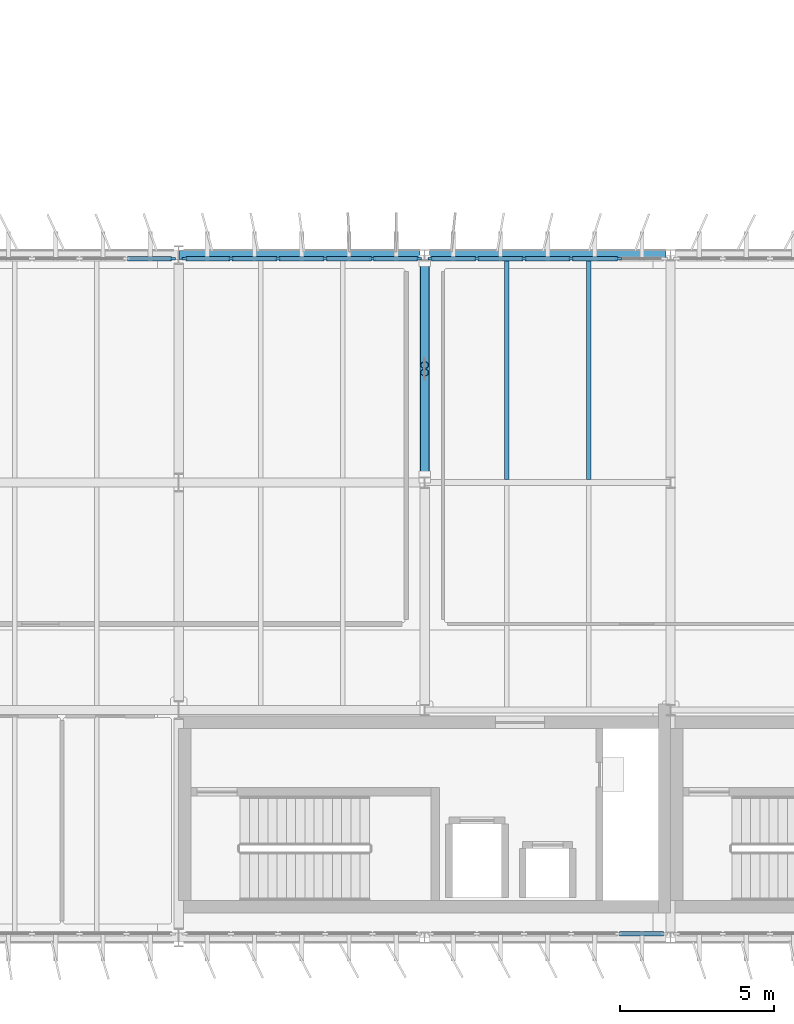
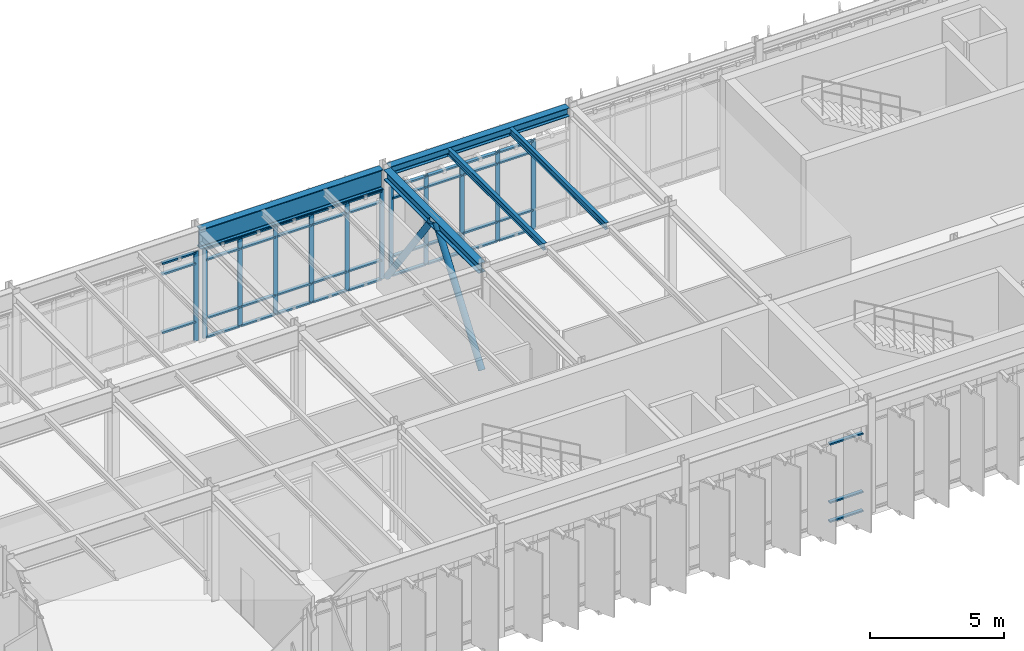
# One storey, part 11 of 48: 56 members, 5 beams, 4 elements without a shape of their own.
"""IFC4 building model written with IfcOpenShell, lengths in metres."""

from ifc_helpers import new_model, si_unit, direction, frame, origin, origin_2d, place, context, subcontext, project, spatial, rectangle, hollow_circle, i_section, extrude, material, layer, layer_set, material_profile, profile_set, type_object, element, aggregate, save


model = new_model("IFC4")

# Units and contexts
model_context = context("Model", 3, precision=1e-05, world=origin(), true_north=direction((0.0, 1.0)))
body_context = subcontext(model_context, "Body", "Model", "MODEL_VIEW")
ifc_project = project(units=[si_unit("LENGTHUNIT", "METRE"), si_unit("AREAUNIT", "SQUARE_METRE"), si_unit("VOLUMEUNIT", "CUBIC_METRE"), si_unit("PLANEANGLEUNIT", "RADIAN"), si_unit("MASSUNIT", "GRAM", prefix="KILO")], contexts=[model_context])

# Site, building, storey
site_placement = place(None, origin())
site = spatial("IfcSite", under=ifc_project, at=site_placement, CompositionType="ELEMENT")
building_placement = place(site_placement, origin())
building = spatial("IfcBuilding", under=site, at=building_placement, Name="Valkorina Park Police Headquarters", CompositionType="ELEMENT")
storey_placement = place(building_placement, frame((0.0, 0.0, 18.10009765625)))
storey = spatial("IfcBuildingStorey", under=building, at=storey_placement, Name="L05", CompositionType="ELEMENT", Elevation=18.10009765625)

# Beams
ifc_material_1 = material(Name="Steel S355", Category="steel")
ifc_material_profile_1 = material_profile(ifc_material_1, i_section(OverallWidth=0.300048828125, OverallDepth=0.389892578125, WebThickness=0.010986328125, FlangeThickness=0.01904296875, FilletRadius=0.027099609375, at=origin_2d()), Name="HEA 400")
ifc_profile_set_1 = profile_set([ifc_material_profile_1], Name="Steel S355")
beam_type_1 = type_object("IfcBeamType", Name="BM-S355-HEA400-SPN", PredefinedType="SPANDREL", material=ifc_profile_set_1)
beam_1_placement = place(storey_placement, frame((24.949951171875, 59.199951171875, 4.784912109375), z_axis=(1.0, 0.0, 0.0), x_axis=(0.0, 1.0, 0.0)))
element("IfcBeam", 1, at=beam_1_placement, inside=storey, type_object=beam_type_1, Name="L05 Framing Beam 2490", PredefinedType="SPANDREL", context=body_context, shape_type="SweptSolid", body=[
    extrude(i_section(OverallWidth=0.300048828125, OverallDepth=0.389892578125, WebThickness=0.010986328125, FlangeThickness=0.01904296875, FilletRadius=0.027099609375, at=origin_2d()), origin(), (0.0, 0.0, 1.0), 7.699951171875),
])
ifc_material_profile_2 = material_profile(ifc_material_1, i_section(OverallWidth=0.300048828125, OverallDepth=0.449951171875, WebThickness=0.013916015625, FlangeThickness=0.02587890625, FilletRadius=0.027099609375, at=origin_2d()), Name="HEB 450")
ifc_profile_set_2 = profile_set([ifc_material_profile_2], Name="Steel S355")
beam_type_2 = type_object("IfcBeamType", Name="BM-S355-HEB450-BM", PredefinedType="BEAM", material=ifc_profile_set_2)
beam_2_placement = place(storey_placement, frame((24.800048828125, 51.97998046875, 4.7548828125), z_axis=(0.0, 1.0, 0.0), x_axis=(-1.0, 0.0, 0.0)))
element("IfcBeam", 2, at=beam_2_placement, inside=storey, type_object=beam_type_2, Name="L05 Framing Beam 2535", PredefinedType="BEAM", context=body_context, shape_type="SweptSolid", body=[
    extrude(i_section(OverallWidth=0.300048828125, OverallDepth=0.449951171875, WebThickness=0.013916015625, FlangeThickness=0.02587890625, FilletRadius=0.027099609375, at=origin_2d()), origin(), (0.0, 0.0, 1.0), 7.0400390625),
])
ifc_material_profile_3 = material_profile(ifc_material_1, i_section(OverallWidth=0.300048828125, OverallDepth=0.89990234375, WebThickness=0.0185546875, FlangeThickness=0.034912109375, FilletRadius=0.030029296875, at=origin_2d()), Name="HEB 900")
ifc_profile_set_3 = profile_set([ifc_material_profile_3], Name="Steel S355")
beam_type_3 = type_object("IfcBeamType", Name="BM-S355-HEB900-EXT", PredefinedType="SPANDREL", material=ifc_profile_set_3)
beam_3_placement = place(storey_placement, frame((16.8076171875, 59.199951171875, 4.52978515625), z_axis=(1.0, 0.0, 0.0), x_axis=(0.0, 1.0, 0.0)))
element("IfcBeam", 3, at=beam_3_placement, inside=storey, type_object=beam_type_3, Name="L05 Framing Beam 2489", PredefinedType="SPANDREL", context=body_context, shape_type="SweptSolid", body=[
    extrude(i_section(OverallWidth=0.300048828125, OverallDepth=0.89990234375, WebThickness=0.0185546875, FlangeThickness=0.034912109375, FilletRadius=0.030029296875, at=origin_2d()), origin(), (0.0, 0.0, 1.0), 7.84228515625),
])
ifc_material_profile_4 = material_profile(ifc_material_1, i_section(OverallWidth=0.14990234375, OverallDepth=0.300048828125, WebThickness=0.007080078125, FlangeThickness=0.0107421875, FilletRadius=0.014892578125, at=origin_2d()), Name="IPE 300")
ifc_profile_set_4 = profile_set([ifc_material_profile_4], Name="Steel S355")
beam_type_4 = type_object("IfcBeamType", Name="BM-S355-IPE300-JST", PredefinedType="JOIST", material=ifc_profile_set_4)
for number, where, z_axis, x_axis, name in (
    (4, (27.466796875, 51.89501953125, 4.829833984375), (0.0, 1.0, 0.0), (-1.0, 0.0, 0.0), "L05 Framing Beam 2536"),
    (5, (30.13330078125, 51.89501953125, 4.829833984375), (0.0, 1.0, 0.0), (-1.0, 0.0, 0.0), "L05 Framing Beam 2537"),
):
    element("IfcBeam", number, at=place(storey_placement, frame(where, z_axis=z_axis, x_axis=x_axis)), inside=storey, type_object=beam_type_4, Name=name, PredefinedType="JOIST", context=body_context, shape_type="SweptSolid", body=[
        extrude(i_section(OverallWidth=0.14990234375, OverallDepth=0.300048828125, WebThickness=0.007080078125, FlangeThickness=0.0107421875, FilletRadius=0.014892578125, at=origin_2d()), origin(), (0.0, 0.0, 1.0), 7.155029296875),
    ])

# Curtain wall, member
ifc_material_2 = material(Name="Thermally broken aluminium AW-6060", Category="aluminium")
ifc_layer = layer(ifc_material_2, 0.18994140625)
ifc_layer_set = layer_set([ifc_layer], Name="Thermally broken aluminium AW-6060")
curtain_wall_type = type_object("IfcCurtainWallType", Name="CW-V5-7680x4070", PredefinedType="NOTDEFINED", material=ifc_layer_set)
curtain_wall_1_placement = place(storey_placement, origin())
curtain_wall_1 = element("IfcCurtainWall", 6, at=curtain_wall_1_placement, inside=storey, type_object=curtain_wall_type, Name="L05 Unitised Curtain Wall 079", PredefinedType="NOTDEFINED")
ifc_material_profile_5 = material_profile(ifc_material_2, rectangle(XDim=0.070068359375, YDim=0.18994140625, at=origin_2d()), Name="CWM-02 70x190")
ifc_profile_set_5 = profile_set([ifc_material_profile_5], Name="Thermally broken aluminium AW-6060")
member_type_1 = type_object("IfcMemberType", Name="CWM-70x190", PredefinedType="MULLION", material=ifc_profile_set_5)
member_1_placement = place(storey_placement, frame((16.60498046875, 59.080078125, 0.0), z_axis=(0.0, 0.0, 1.0), x_axis=(0.0, 1.0, 0.0)))
member_1 = element("IfcMember", 7, at=member_1_placement, type_object=member_type_1, Name="CW-V5-768-407 mullion 6", PredefinedType="MULLION", context=body_context, shape_type="SweptSolid", body=[
    extrude(rectangle(XDim=0.070068359375, YDim=0.18994140625, at=origin_2d()), origin(), (0.0, 0.0, 1.0), 4.06982421875),
])

# Curtain wall, members
curtain_wall_2_placement = place(storey_placement, origin())
curtain_wall_2 = element("IfcCurtainWall", 8, at=curtain_wall_2_placement, inside=storey, type_object=curtain_wall_type, Name="L05 Unitised Curtain Wall 080", PredefinedType="NOTDEFINED")
member_2_placement = place(storey_placement, frame((16.9951171875, 59.080078125, 0.0), z_axis=(0.0, 0.0, 1.0), x_axis=(0.0, 1.0, 0.0)))
member_2 = element("IfcMember", 9, at=member_2_placement, type_object=member_type_1, Name="CW-V5-768-407 mullion 1", PredefinedType="MULLION", context=body_context, shape_type="SweptSolid", body=[
    extrude(rectangle(XDim=0.070068359375, YDim=0.18994140625, at=origin_2d()), origin(), (0.0, 0.0, 1.0), 4.06982421875),
])
member_3_placement = place(storey_placement, frame((18.49609375, 59.080078125, 0.0), z_axis=(0.0, 0.0, 1.0), x_axis=(0.0, 1.0, 0.0)))
member_3 = element("IfcMember", 10, at=member_3_placement, type_object=member_type_1, Name="CW-V5-768-407 mullion 2", PredefinedType="MULLION", context=body_context, shape_type="SweptSolid", body=[
    extrude(rectangle(XDim=0.070068359375, YDim=0.18994140625, at=origin_2d()), origin(), (0.0, 0.0, 1.0), 4.06982421875),
])
member_4_placement = place(storey_placement, frame((20.031982421875, 59.080078125, 0.0), z_axis=(0.0, 0.0, 1.0), x_axis=(0.0, 1.0, 0.0)))
member_4 = element("IfcMember", 11, at=member_4_placement, type_object=member_type_1, Name="CW-V5-768-407 mullion 3", PredefinedType="MULLION", context=body_context, shape_type="SweptSolid", body=[
    extrude(rectangle(XDim=0.070068359375, YDim=0.18994140625, at=origin_2d()), origin(), (0.0, 0.0, 1.0), 4.06982421875),
])
member_5_placement = place(storey_placement, frame((21.568115234375, 59.080078125, 0.0), z_axis=(0.0, 0.0, 1.0), x_axis=(0.0, 1.0, 0.0)))
member_5 = element("IfcMember", 12, at=member_5_placement, type_object=member_type_1, Name="CW-V5-768-407 mullion 4", PredefinedType="MULLION", context=body_context, shape_type="SweptSolid", body=[
    extrude(rectangle(XDim=0.070068359375, YDim=0.18994140625, at=origin_2d()), origin(), (0.0, 0.0, 1.0), 4.06982421875),
])
member_6_placement = place(storey_placement, frame((23.10400390625, 59.080078125, 0.0), z_axis=(0.0, 0.0, 1.0), x_axis=(0.0, 1.0, 0.0)))
member_6 = element("IfcMember", 13, at=member_6_placement, type_object=member_type_1, Name="CW-V5-768-407 mullion 5", PredefinedType="MULLION", context=body_context, shape_type="SweptSolid", body=[
    extrude(rectangle(XDim=0.070068359375, YDim=0.18994140625, at=origin_2d()), origin(), (0.0, 0.0, 1.0), 4.06982421875),
])
member_7_placement = place(storey_placement, frame((24.60498046875, 59.080078125, 0.0), z_axis=(0.0, 0.0, 1.0), x_axis=(0.0, 1.0, 0.0)))
member_7 = element("IfcMember", 14, at=member_7_placement, type_object=member_type_1, Name="CW-V5-768-407 mullion 6", PredefinedType="MULLION", context=body_context, shape_type="SweptSolid", body=[
    extrude(rectangle(XDim=0.070068359375, YDim=0.18994140625, at=origin_2d()), origin(), (0.0, 0.0, 1.0), 4.06982421875),
])

curtain_wall_3_placement = place(storey_placement, origin())
curtain_wall_3 = element("IfcCurtainWall", 15, at=curtain_wall_3_placement, inside=storey, type_object=curtain_wall_type, Name="L05 Unitised Curtain Wall 081", PredefinedType="NOTDEFINED")
member_8_placement = place(storey_placement, frame((24.9951171875, 59.080078125, 0.0), z_axis=(0.0, 0.0, 1.0), x_axis=(0.0, 1.0, 0.0)))
member_8 = element("IfcMember", 16, at=member_8_placement, type_object=member_type_1, Name="CW-V5-768-407 mullion 1", PredefinedType="MULLION", context=body_context, shape_type="SweptSolid", body=[
    extrude(rectangle(XDim=0.070068359375, YDim=0.18994140625, at=origin_2d()), origin(), (0.0, 0.0, 1.0), 4.06982421875),
])
member_9_placement = place(storey_placement, frame((26.49609375, 59.080078125, 0.0), z_axis=(0.0, 0.0, 1.0), x_axis=(0.0, 1.0, 0.0)))
member_9 = element("IfcMember", 17, at=member_9_placement, type_object=member_type_1, Name="CW-V5-768-407 mullion 2", PredefinedType="MULLION", context=body_context, shape_type="SweptSolid", body=[
    extrude(rectangle(XDim=0.070068359375, YDim=0.18994140625, at=origin_2d()), origin(), (0.0, 0.0, 1.0), 4.06982421875),
])
member_10_placement = place(storey_placement, frame((28.031982421875, 59.080078125, 0.0), z_axis=(0.0, 0.0, 1.0), x_axis=(0.0, 1.0, 0.0)))
member_10 = element("IfcMember", 18, at=member_10_placement, type_object=member_type_1, Name="CW-V5-768-407 mullion 3", PredefinedType="MULLION", context=body_context, shape_type="SweptSolid", body=[
    extrude(rectangle(XDim=0.070068359375, YDim=0.18994140625, at=origin_2d()), origin(), (0.0, 0.0, 1.0), 4.06982421875),
])
member_11_placement = place(storey_placement, frame((29.568115234375, 59.080078125, 0.0), z_axis=(0.0, 0.0, 1.0), x_axis=(0.0, 1.0, 0.0)))
member_11 = element("IfcMember", 19, at=member_11_placement, type_object=member_type_1, Name="CW-V5-768-407 mullion 4", PredefinedType="MULLION", context=body_context, shape_type="SweptSolid", body=[
    extrude(rectangle(XDim=0.070068359375, YDim=0.18994140625, at=origin_2d()), origin(), (0.0, 0.0, 1.0), 4.06982421875),
])
member_12_placement = place(storey_placement, frame((31.10400390625, 59.080078125, 0.0), z_axis=(0.0, 0.0, 1.0), x_axis=(0.0, 1.0, 0.0)))
member_12 = element("IfcMember", 20, at=member_12_placement, type_object=member_type_1, Name="CW-V5-768-407 mullion 5", PredefinedType="MULLION", context=body_context, shape_type="SweptSolid", body=[
    extrude(rectangle(XDim=0.070068359375, YDim=0.18994140625, at=origin_2d()), origin(), (0.0, 0.0, 1.0), 4.06982421875),
])

curtain_wall_4_placement = place(storey_placement, origin())
curtain_wall_4 = element("IfcCurtainWall", 21, at=curtain_wall_4_placement, inside=storey, type_object=curtain_wall_type, Name="L05 Unitised Curtain Wall 071", PredefinedType="NOTDEFINED")
ifc_material_profile_6 = material_profile(ifc_material_2, rectangle(XDim=0.14990234375, YDim=0.070068359375, at=origin_2d()), Name="CWT-02 150x70")
ifc_profile_set_6 = profile_set([ifc_material_profile_6], Name="Thermally broken aluminium AW-6060")
member_type_2 = type_object("IfcMemberType", Name="CWT-150x70", PredefinedType="USERDEFINED", material=ifc_profile_set_6)
member_13_placement = place(storey_placement, frame((32.570068359375, 37.1201171875, 0.034912109375), z_axis=(-1.0, 0.0, 0.0), x_axis=(0.0, -1.0, 0.0)))
member_13 = element("IfcMember", 22, at=member_13_placement, type_object=member_type_2, Name="CW-V5-768-407 transom 1.1", ObjectType="TRANSOM", PredefinedType="USERDEFINED", context=body_context, shape_type="SweptSolid", body=[
    extrude(rectangle(XDim=0.14990234375, YDim=0.070068359375, at=origin_2d()), origin(), (0.0, 0.0, 1.0), 1.43115234375),
])
member_14_placement = place(storey_placement, frame((32.570068359375, 37.1201171875, 0.89990234375), z_axis=(-1.0, 0.0, 0.0), x_axis=(0.0, -1.0, 0.0)))
member_14 = element("IfcMember", 23, at=member_14_placement, type_object=member_type_2, Name="CW-V5-768-407 transom 1.2", ObjectType="TRANSOM", PredefinedType="USERDEFINED", context=body_context, shape_type="SweptSolid", body=[
    extrude(rectangle(XDim=0.14990234375, YDim=0.070068359375, at=origin_2d()), origin(), (0.0, 0.0, 1.0), 1.43115234375),
])
member_15_placement = place(storey_placement, frame((32.570068359375, 37.1201171875, 3.5498046875), z_axis=(-1.0, 0.0, 0.0), x_axis=(0.0, -1.0, 0.0)))
member_15 = element("IfcMember", 24, at=member_15_placement, type_object=member_type_2, Name="CW-V5-768-407 transom 1.3", ObjectType="TRANSOM", PredefinedType="USERDEFINED", context=body_context, shape_type="SweptSolid", body=[
    extrude(rectangle(XDim=0.14990234375, YDim=0.070068359375, at=origin_2d()), origin(), (0.0, 0.0, 1.0), 1.43115234375),
])
aggregate(curtain_wall_4, [member_13, member_14, member_15])

# Member
member_16_placement = place(storey_placement, frame((15.138916015625, 59.080078125, 0.89990234375), z_axis=(1.0, 0.0, 0.0), x_axis=(0.0, 1.0, 0.0)))
member_16 = element("IfcMember", 25, at=member_16_placement, type_object=member_type_2, Name="CW-V5-768-407 transom 5.2", ObjectType="TRANSOM", PredefinedType="USERDEFINED", context=body_context, shape_type="SweptSolid", body=[
    extrude(rectangle(XDim=0.14990234375, YDim=0.070068359375, at=origin_2d()), origin(), (0.0, 0.0, 1.0), 1.43115234375),
])

member_17_placement = place(storey_placement, frame((15.138916015625, 59.080078125, 3.5498046875), z_axis=(1.0, 0.0, 0.0), x_axis=(0.0, 1.0, 0.0)))
member_17 = element("IfcMember", 26, at=member_17_placement, type_object=member_type_2, Name="CW-V5-768-407 transom 5.3", ObjectType="TRANSOM", PredefinedType="USERDEFINED", context=body_context, shape_type="SweptSolid", body=[
    extrude(rectangle(XDim=0.14990234375, YDim=0.070068359375, at=origin_2d()), origin(), (0.0, 0.0, 1.0), 1.43115234375),
])

member_18_placement = place(storey_placement, frame((15.138916015625, 59.080078125, 4.034912109375), z_axis=(1.0, 0.0, 0.0), x_axis=(0.0, 1.0, 0.0)))
member_18 = element("IfcMember", 27, at=member_18_placement, type_object=member_type_2, Name="CW-V5-768-407 transom 5.4", ObjectType="TRANSOM", PredefinedType="USERDEFINED", context=body_context, shape_type="SweptSolid", body=[
    extrude(rectangle(XDim=0.14990234375, YDim=0.070068359375, at=origin_2d()), origin(), (0.0, 0.0, 1.0), 1.43115234375),
])

aggregate(curtain_wall_1, [member_1, member_16, member_17, member_18])

member_19_placement = place(storey_placement, frame((17.030029296875, 59.080078125, 0.034912109375), z_axis=(1.0, 0.0, 0.0), x_axis=(0.0, 1.0, 0.0)))
member_19 = element("IfcMember", 28, at=member_19_placement, type_object=member_type_2, Name="CW-V5-768-407 transom 1.1", ObjectType="TRANSOM", PredefinedType="USERDEFINED", context=body_context, shape_type="SweptSolid", body=[
    extrude(rectangle(XDim=0.14990234375, YDim=0.070068359375, at=origin_2d()), origin(), (0.0, 0.0, 1.0), 1.430908203125),
])

member_20_placement = place(storey_placement, frame((17.030029296875, 59.080078125, 0.89990234375), z_axis=(1.0, 0.0, 0.0), x_axis=(0.0, 1.0, 0.0)))
member_20 = element("IfcMember", 29, at=member_20_placement, type_object=member_type_2, Name="CW-V5-768-407 transom 1.2", ObjectType="TRANSOM", PredefinedType="USERDEFINED", context=body_context, shape_type="SweptSolid", body=[
    extrude(rectangle(XDim=0.14990234375, YDim=0.070068359375, at=origin_2d()), origin(), (0.0, 0.0, 1.0), 1.430908203125),
])

member_21_placement = place(storey_placement, frame((17.030029296875, 59.080078125, 3.5498046875), z_axis=(1.0, 0.0, 0.0), x_axis=(0.0, 1.0, 0.0)))
member_21 = element("IfcMember", 30, at=member_21_placement, type_object=member_type_2, Name="CW-V5-768-407 transom 1.3", ObjectType="TRANSOM", PredefinedType="USERDEFINED", context=body_context, shape_type="SweptSolid", body=[
    extrude(rectangle(XDim=0.14990234375, YDim=0.070068359375, at=origin_2d()), origin(), (0.0, 0.0, 1.0), 1.430908203125),
])

member_22_placement = place(storey_placement, frame((17.030029296875, 59.080078125, 4.034912109375), z_axis=(1.0, 0.0, 0.0), x_axis=(0.0, 1.0, 0.0)))
member_22 = element("IfcMember", 31, at=member_22_placement, type_object=member_type_2, Name="CW-V5-768-407 transom 1.4", ObjectType="TRANSOM", PredefinedType="USERDEFINED", context=body_context, shape_type="SweptSolid", body=[
    extrude(rectangle(XDim=0.14990234375, YDim=0.070068359375, at=origin_2d()), origin(), (0.0, 0.0, 1.0), 1.430908203125),
])

member_23_placement = place(storey_placement, frame((18.531005859375, 59.080078125, 0.034912109375), z_axis=(1.0, 0.0, 0.0), x_axis=(0.0, 1.0, 0.0)))
member_23 = element("IfcMember", 32, at=member_23_placement, type_object=member_type_2, Name="CW-V5-768-407 transom 2.1", ObjectType="TRANSOM", PredefinedType="USERDEFINED", context=body_context, shape_type="SweptSolid", body=[
    extrude(rectangle(XDim=0.14990234375, YDim=0.070068359375, at=origin_2d()), origin(), (0.0, 0.0, 1.0), 1.466064453125),
])

member_24_placement = place(storey_placement, frame((18.531005859375, 59.080078125, 0.89990234375), z_axis=(1.0, 0.0, 0.0), x_axis=(0.0, 1.0, 0.0)))
member_24 = element("IfcMember", 33, at=member_24_placement, type_object=member_type_2, Name="CW-V5-768-407 transom 2.2", ObjectType="TRANSOM", PredefinedType="USERDEFINED", context=body_context, shape_type="SweptSolid", body=[
    extrude(rectangle(XDim=0.14990234375, YDim=0.070068359375, at=origin_2d()), origin(), (0.0, 0.0, 1.0), 1.466064453125),
])

member_25_placement = place(storey_placement, frame((18.531005859375, 59.080078125, 3.5498046875), z_axis=(1.0, 0.0, 0.0), x_axis=(0.0, 1.0, 0.0)))
member_25 = element("IfcMember", 34, at=member_25_placement, type_object=member_type_2, Name="CW-V5-768-407 transom 2.3", ObjectType="TRANSOM", PredefinedType="USERDEFINED", context=body_context, shape_type="SweptSolid", body=[
    extrude(rectangle(XDim=0.14990234375, YDim=0.070068359375, at=origin_2d()), origin(), (0.0, 0.0, 1.0), 1.466064453125),
])

member_26_placement = place(storey_placement, frame((18.531005859375, 59.080078125, 4.034912109375), z_axis=(1.0, 0.0, 0.0), x_axis=(0.0, 1.0, 0.0)))
member_26 = element("IfcMember", 35, at=member_26_placement, type_object=member_type_2, Name="CW-V5-768-407 transom 2.4", ObjectType="TRANSOM", PredefinedType="USERDEFINED", context=body_context, shape_type="SweptSolid", body=[
    extrude(rectangle(XDim=0.14990234375, YDim=0.070068359375, at=origin_2d()), origin(), (0.0, 0.0, 1.0), 1.466064453125),
])

member_27_placement = place(storey_placement, frame((20.06689453125, 59.080078125, 0.034912109375), z_axis=(1.0, 0.0, 0.0), x_axis=(0.0, 1.0, 0.0)))
member_27 = element("IfcMember", 36, at=member_27_placement, type_object=member_type_2, Name="CW-V5-768-407 transom 3.1", ObjectType="TRANSOM", PredefinedType="USERDEFINED", context=body_context, shape_type="SweptSolid", body=[
    extrude(rectangle(XDim=0.14990234375, YDim=0.070068359375, at=origin_2d()), origin(), (0.0, 0.0, 1.0), 1.466064453125),
])

member_28_placement = place(storey_placement, frame((20.06689453125, 59.080078125, 0.89990234375), z_axis=(1.0, 0.0, 0.0), x_axis=(0.0, 1.0, 0.0)))
member_28 = element("IfcMember", 37, at=member_28_placement, type_object=member_type_2, Name="CW-V5-768-407 transom 3.2", ObjectType="TRANSOM", PredefinedType="USERDEFINED", context=body_context, shape_type="SweptSolid", body=[
    extrude(rectangle(XDim=0.14990234375, YDim=0.070068359375, at=origin_2d()), origin(), (0.0, 0.0, 1.0), 1.466064453125),
])

member_29_placement = place(storey_placement, frame((20.06689453125, 59.080078125, 3.5498046875), z_axis=(1.0, 0.0, 0.0), x_axis=(0.0, 1.0, 0.0)))
member_29 = element("IfcMember", 38, at=member_29_placement, type_object=member_type_2, Name="CW-V5-768-407 transom 3.3", ObjectType="TRANSOM", PredefinedType="USERDEFINED", context=body_context, shape_type="SweptSolid", body=[
    extrude(rectangle(XDim=0.14990234375, YDim=0.070068359375, at=origin_2d()), origin(), (0.0, 0.0, 1.0), 1.466064453125),
])

member_30_placement = place(storey_placement, frame((20.06689453125, 59.080078125, 4.034912109375), z_axis=(1.0, 0.0, 0.0), x_axis=(0.0, 1.0, 0.0)))
member_30 = element("IfcMember", 39, at=member_30_placement, type_object=member_type_2, Name="CW-V5-768-407 transom 3.4", ObjectType="TRANSOM", PredefinedType="USERDEFINED", context=body_context, shape_type="SweptSolid", body=[
    extrude(rectangle(XDim=0.14990234375, YDim=0.070068359375, at=origin_2d()), origin(), (0.0, 0.0, 1.0), 1.466064453125),
])

member_31_placement = place(storey_placement, frame((21.60302734375, 59.080078125, 0.034912109375), z_axis=(1.0, 0.0, 0.0), x_axis=(0.0, 1.0, 0.0)))
member_31 = element("IfcMember", 40, at=member_31_placement, type_object=member_type_2, Name="CW-V5-768-407 transom 4.1", ObjectType="TRANSOM", PredefinedType="USERDEFINED", context=body_context, shape_type="SweptSolid", body=[
    extrude(rectangle(XDim=0.14990234375, YDim=0.070068359375, at=origin_2d()), origin(), (0.0, 0.0, 1.0), 1.466064453125),
])

member_32_placement = place(storey_placement, frame((21.60302734375, 59.080078125, 0.89990234375), z_axis=(1.0, 0.0, 0.0), x_axis=(0.0, 1.0, 0.0)))
member_32 = element("IfcMember", 41, at=member_32_placement, type_object=member_type_2, Name="CW-V5-768-407 transom 4.2", ObjectType="TRANSOM", PredefinedType="USERDEFINED", context=body_context, shape_type="SweptSolid", body=[
    extrude(rectangle(XDim=0.14990234375, YDim=0.070068359375, at=origin_2d()), origin(), (0.0, 0.0, 1.0), 1.466064453125),
])

member_33_placement = place(storey_placement, frame((21.60302734375, 59.080078125, 3.5498046875), z_axis=(1.0, 0.0, 0.0), x_axis=(0.0, 1.0, 0.0)))
member_33 = element("IfcMember", 42, at=member_33_placement, type_object=member_type_2, Name="CW-V5-768-407 transom 4.3", ObjectType="TRANSOM", PredefinedType="USERDEFINED", context=body_context, shape_type="SweptSolid", body=[
    extrude(rectangle(XDim=0.14990234375, YDim=0.070068359375, at=origin_2d()), origin(), (0.0, 0.0, 1.0), 1.466064453125),
])

member_34_placement = place(storey_placement, frame((21.60302734375, 59.080078125, 4.034912109375), z_axis=(1.0, 0.0, 0.0), x_axis=(0.0, 1.0, 0.0)))
member_34 = element("IfcMember", 43, at=member_34_placement, type_object=member_type_2, Name="CW-V5-768-407 transom 4.4", ObjectType="TRANSOM", PredefinedType="USERDEFINED", context=body_context, shape_type="SweptSolid", body=[
    extrude(rectangle(XDim=0.14990234375, YDim=0.070068359375, at=origin_2d()), origin(), (0.0, 0.0, 1.0), 1.466064453125),
])

member_35_placement = place(storey_placement, frame((23.138916015625, 59.080078125, 0.034912109375), z_axis=(1.0, 0.0, 0.0), x_axis=(0.0, 1.0, 0.0)))
member_35 = element("IfcMember", 44, at=member_35_placement, type_object=member_type_2, Name="CW-V5-768-407 transom 5.1", ObjectType="TRANSOM", PredefinedType="USERDEFINED", context=body_context, shape_type="SweptSolid", body=[
    extrude(rectangle(XDim=0.14990234375, YDim=0.070068359375, at=origin_2d()), origin(), (0.0, 0.0, 1.0), 1.43115234375),
])

member_36_placement = place(storey_placement, frame((23.138916015625, 59.080078125, 0.89990234375), z_axis=(1.0, 0.0, 0.0), x_axis=(0.0, 1.0, 0.0)))
member_36 = element("IfcMember", 45, at=member_36_placement, type_object=member_type_2, Name="CW-V5-768-407 transom 5.2", ObjectType="TRANSOM", PredefinedType="USERDEFINED", context=body_context, shape_type="SweptSolid", body=[
    extrude(rectangle(XDim=0.14990234375, YDim=0.070068359375, at=origin_2d()), origin(), (0.0, 0.0, 1.0), 1.43115234375),
])

member_37_placement = place(storey_placement, frame((23.138916015625, 59.080078125, 3.5498046875), z_axis=(1.0, 0.0, 0.0), x_axis=(0.0, 1.0, 0.0)))
member_37 = element("IfcMember", 46, at=member_37_placement, type_object=member_type_2, Name="CW-V5-768-407 transom 5.3", ObjectType="TRANSOM", PredefinedType="USERDEFINED", context=body_context, shape_type="SweptSolid", body=[
    extrude(rectangle(XDim=0.14990234375, YDim=0.070068359375, at=origin_2d()), origin(), (0.0, 0.0, 1.0), 1.43115234375),
])

member_38_placement = place(storey_placement, frame((23.138916015625, 59.080078125, 4.034912109375), z_axis=(1.0, 0.0, 0.0), x_axis=(0.0, 1.0, 0.0)))
member_38 = element("IfcMember", 47, at=member_38_placement, type_object=member_type_2, Name="CW-V5-768-407 transom 5.4", ObjectType="TRANSOM", PredefinedType="USERDEFINED", context=body_context, shape_type="SweptSolid", body=[
    extrude(rectangle(XDim=0.14990234375, YDim=0.070068359375, at=origin_2d()), origin(), (0.0, 0.0, 1.0), 1.43115234375),
])

aggregate(curtain_wall_2, [member_2, member_3, member_4, member_5, member_6, member_7, member_19, member_20, member_21, member_22, member_23, member_24, member_25, member_26, member_27, member_28, member_29, member_30, member_31, member_32, member_33, member_34, member_35, member_36, member_37, member_38])

member_39_placement = place(storey_placement, frame((25.030029296875, 59.080078125, 0.034912109375), z_axis=(1.0, 0.0, 0.0), x_axis=(0.0, 1.0, 0.0)))
member_39 = element("IfcMember", 48, at=member_39_placement, type_object=member_type_2, Name="CW-V5-768-407 transom 1.1", ObjectType="TRANSOM", PredefinedType="USERDEFINED", context=body_context, shape_type="SweptSolid", body=[
    extrude(rectangle(XDim=0.14990234375, YDim=0.070068359375, at=origin_2d()), origin(), (0.0, 0.0, 1.0), 1.430908203125),
])

member_40_placement = place(storey_placement, frame((25.030029296875, 59.080078125, 0.89990234375), z_axis=(1.0, 0.0, 0.0), x_axis=(0.0, 1.0, 0.0)))
member_40 = element("IfcMember", 49, at=member_40_placement, type_object=member_type_2, Name="CW-V5-768-407 transom 1.2", ObjectType="TRANSOM", PredefinedType="USERDEFINED", context=body_context, shape_type="SweptSolid", body=[
    extrude(rectangle(XDim=0.14990234375, YDim=0.070068359375, at=origin_2d()), origin(), (0.0, 0.0, 1.0), 1.430908203125),
])

member_41_placement = place(storey_placement, frame((25.030029296875, 59.080078125, 3.5498046875), z_axis=(1.0, 0.0, 0.0), x_axis=(0.0, 1.0, 0.0)))
member_41 = element("IfcMember", 50, at=member_41_placement, type_object=member_type_2, Name="CW-V5-768-407 transom 1.3", ObjectType="TRANSOM", PredefinedType="USERDEFINED", context=body_context, shape_type="SweptSolid", body=[
    extrude(rectangle(XDim=0.14990234375, YDim=0.070068359375, at=origin_2d()), origin(), (0.0, 0.0, 1.0), 1.430908203125),
])

member_42_placement = place(storey_placement, frame((25.030029296875, 59.080078125, 4.034912109375), z_axis=(1.0, 0.0, 0.0), x_axis=(0.0, 1.0, 0.0)))
member_42 = element("IfcMember", 51, at=member_42_placement, type_object=member_type_2, Name="CW-V5-768-407 transom 1.4", ObjectType="TRANSOM", PredefinedType="USERDEFINED", context=body_context, shape_type="SweptSolid", body=[
    extrude(rectangle(XDim=0.14990234375, YDim=0.070068359375, at=origin_2d()), origin(), (0.0, 0.0, 1.0), 1.430908203125),
])

member_43_placement = place(storey_placement, frame((26.531005859375, 59.080078125, 0.034912109375), z_axis=(1.0, 0.0, 0.0), x_axis=(0.0, 1.0, 0.0)))
member_43 = element("IfcMember", 52, at=member_43_placement, type_object=member_type_2, Name="CW-V5-768-407 transom 2.1", ObjectType="TRANSOM", PredefinedType="USERDEFINED", context=body_context, shape_type="SweptSolid", body=[
    extrude(rectangle(XDim=0.14990234375, YDim=0.070068359375, at=origin_2d()), origin(), (0.0, 0.0, 1.0), 1.466064453125),
])

member_44_placement = place(storey_placement, frame((26.531005859375, 59.080078125, 0.89990234375), z_axis=(1.0, 0.0, 0.0), x_axis=(0.0, 1.0, 0.0)))
member_44 = element("IfcMember", 53, at=member_44_placement, type_object=member_type_2, Name="CW-V5-768-407 transom 2.2", ObjectType="TRANSOM", PredefinedType="USERDEFINED", context=body_context, shape_type="SweptSolid", body=[
    extrude(rectangle(XDim=0.14990234375, YDim=0.070068359375, at=origin_2d()), origin(), (0.0, 0.0, 1.0), 1.466064453125),
])

member_45_placement = place(storey_placement, frame((26.531005859375, 59.080078125, 3.5498046875), z_axis=(1.0, 0.0, 0.0), x_axis=(0.0, 1.0, 0.0)))
member_45 = element("IfcMember", 54, at=member_45_placement, type_object=member_type_2, Name="CW-V5-768-407 transom 2.3", ObjectType="TRANSOM", PredefinedType="USERDEFINED", context=body_context, shape_type="SweptSolid", body=[
    extrude(rectangle(XDim=0.14990234375, YDim=0.070068359375, at=origin_2d()), origin(), (0.0, 0.0, 1.0), 1.466064453125),
])

member_46_placement = place(storey_placement, frame((26.531005859375, 59.080078125, 4.034912109375), z_axis=(1.0, 0.0, 0.0), x_axis=(0.0, 1.0, 0.0)))
member_46 = element("IfcMember", 55, at=member_46_placement, type_object=member_type_2, Name="CW-V5-768-407 transom 2.4", ObjectType="TRANSOM", PredefinedType="USERDEFINED", context=body_context, shape_type="SweptSolid", body=[
    extrude(rectangle(XDim=0.14990234375, YDim=0.070068359375, at=origin_2d()), origin(), (0.0, 0.0, 1.0), 1.466064453125),
])

member_47_placement = place(storey_placement, frame((28.06689453125, 59.080078125, 0.034912109375), z_axis=(1.0, 0.0, 0.0), x_axis=(0.0, 1.0, 0.0)))
member_47 = element("IfcMember", 56, at=member_47_placement, type_object=member_type_2, Name="CW-V5-768-407 transom 3.1", ObjectType="TRANSOM", PredefinedType="USERDEFINED", context=body_context, shape_type="SweptSolid", body=[
    extrude(rectangle(XDim=0.14990234375, YDim=0.070068359375, at=origin_2d()), origin(), (0.0, 0.0, 1.0), 1.466064453125),
])

member_48_placement = place(storey_placement, frame((28.06689453125, 59.080078125, 0.89990234375), z_axis=(1.0, 0.0, 0.0), x_axis=(0.0, 1.0, 0.0)))
member_48 = element("IfcMember", 57, at=member_48_placement, type_object=member_type_2, Name="CW-V5-768-407 transom 3.2", ObjectType="TRANSOM", PredefinedType="USERDEFINED", context=body_context, shape_type="SweptSolid", body=[
    extrude(rectangle(XDim=0.14990234375, YDim=0.070068359375, at=origin_2d()), origin(), (0.0, 0.0, 1.0), 1.466064453125),
])

member_49_placement = place(storey_placement, frame((28.06689453125, 59.080078125, 3.5498046875), z_axis=(1.0, 0.0, 0.0), x_axis=(0.0, 1.0, 0.0)))
member_49 = element("IfcMember", 58, at=member_49_placement, type_object=member_type_2, Name="CW-V5-768-407 transom 3.3", ObjectType="TRANSOM", PredefinedType="USERDEFINED", context=body_context, shape_type="SweptSolid", body=[
    extrude(rectangle(XDim=0.14990234375, YDim=0.070068359375, at=origin_2d()), origin(), (0.0, 0.0, 1.0), 1.466064453125),
])

member_50_placement = place(storey_placement, frame((28.06689453125, 59.080078125, 4.034912109375), z_axis=(1.0, 0.0, 0.0), x_axis=(0.0, 1.0, 0.0)))
member_50 = element("IfcMember", 59, at=member_50_placement, type_object=member_type_2, Name="CW-V5-768-407 transom 3.4", ObjectType="TRANSOM", PredefinedType="USERDEFINED", context=body_context, shape_type="SweptSolid", body=[
    extrude(rectangle(XDim=0.14990234375, YDim=0.070068359375, at=origin_2d()), origin(), (0.0, 0.0, 1.0), 1.466064453125),
])

member_51_placement = place(storey_placement, frame((29.60302734375, 59.080078125, 0.034912109375), z_axis=(1.0, 0.0, 0.0), x_axis=(0.0, 1.0, 0.0)))
member_51 = element("IfcMember", 60, at=member_51_placement, type_object=member_type_2, Name="CW-V5-768-407 transom 4.1", ObjectType="TRANSOM", PredefinedType="USERDEFINED", context=body_context, shape_type="SweptSolid", body=[
    extrude(rectangle(XDim=0.14990234375, YDim=0.070068359375, at=origin_2d()), origin(), (0.0, 0.0, 1.0), 1.466064453125),
])

member_52_placement = place(storey_placement, frame((29.60302734375, 59.080078125, 0.89990234375), z_axis=(1.0, 0.0, 0.0), x_axis=(0.0, 1.0, 0.0)))
member_52 = element("IfcMember", 61, at=member_52_placement, type_object=member_type_2, Name="CW-V5-768-407 transom 4.2", ObjectType="TRANSOM", PredefinedType="USERDEFINED", context=body_context, shape_type="SweptSolid", body=[
    extrude(rectangle(XDim=0.14990234375, YDim=0.070068359375, at=origin_2d()), origin(), (0.0, 0.0, 1.0), 1.466064453125),
])

member_53_placement = place(storey_placement, frame((29.60302734375, 59.080078125, 3.5498046875), z_axis=(1.0, 0.0, 0.0), x_axis=(0.0, 1.0, 0.0)))
member_53 = element("IfcMember", 62, at=member_53_placement, type_object=member_type_2, Name="CW-V5-768-407 transom 4.3", ObjectType="TRANSOM", PredefinedType="USERDEFINED", context=body_context, shape_type="SweptSolid", body=[
    extrude(rectangle(XDim=0.14990234375, YDim=0.070068359375, at=origin_2d()), origin(), (0.0, 0.0, 1.0), 1.466064453125),
])

member_54_placement = place(storey_placement, frame((29.60302734375, 59.080078125, 4.034912109375), z_axis=(1.0, 0.0, 0.0), x_axis=(0.0, 1.0, 0.0)))
member_54 = element("IfcMember", 63, at=member_54_placement, type_object=member_type_2, Name="CW-V5-768-407 transom 4.4", ObjectType="TRANSOM", PredefinedType="USERDEFINED", context=body_context, shape_type="SweptSolid", body=[
    extrude(rectangle(XDim=0.14990234375, YDim=0.070068359375, at=origin_2d()), origin(), (0.0, 0.0, 1.0), 1.466064453125),
])

aggregate(curtain_wall_3, [member_8, member_9, member_10, member_11, member_12, member_39, member_40, member_41, member_42, member_43, member_44, member_45, member_46, member_47, member_48, member_49, member_50, member_51, member_52, member_53, member_54])

# Members
ifc_material_profile_7 = material_profile(ifc_material_1, hollow_circle(Radius=0.136474609375, WallThickness=0.012451171875, at=origin_2d()), Name="CHS 273x12.5")
ifc_profile_set_7 = profile_set([ifc_material_profile_7], Name="Steel S355")
member_type_3 = type_object("IfcMemberType", Name="MB-S355-CHS273-BRC", PredefinedType="BRACE", material=ifc_profile_set_7)
for number, where, z_axis, x_axis, name in (
    (64, (24.800048828125, 51.97998046875, 0.099853515625), (0.0, 0.589383977866, 0.807853035295), (-1.0, 0.0, 0.0), "L05 Concentric Chevron Brace 009"),
    (65, (24.800048828125, 59.02001953125, 0.099853515625), (0.0, -0.589383977866, 0.807853035295), (1.0, 0.0, 0.0), "L05 Concentric Chevron Brace 010"),
):
    element("IfcMember", number, at=place(storey_placement, frame(where, z_axis=z_axis, x_axis=x_axis)), inside=storey, type_object=member_type_3, Name=name, PredefinedType="BRACE", context=body_context, shape_type="SweptSolid", body=[
        extrude(hollow_circle(Radius=0.136474609375, WallThickness=0.012451171875, at=origin_2d()), origin(), (0.0, 0.0, 1.0), 5.7685546875),
    ])

save(model, "model.ifc")
